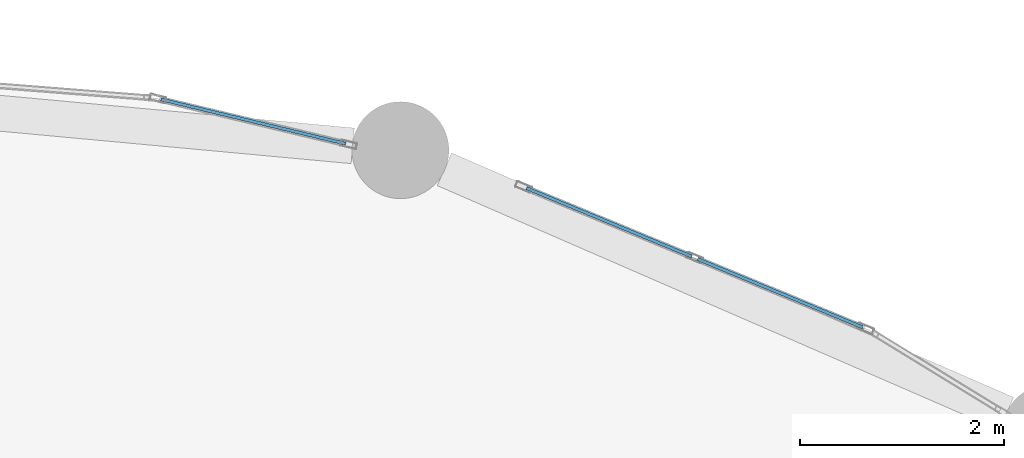
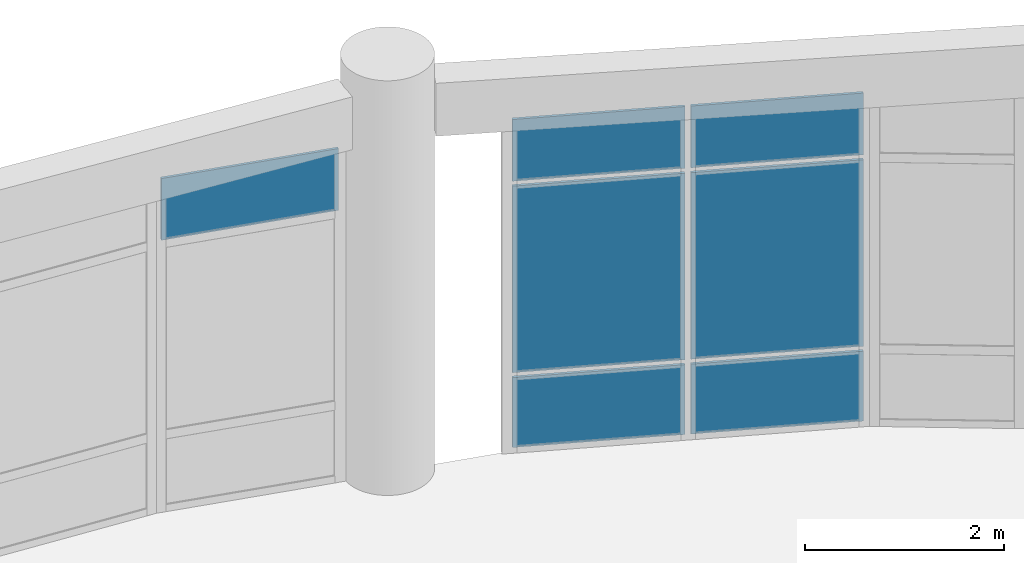
# One storey, part 98 of 120: 7 plates, 2 elements without a shape of their own.
"""IFC4 building model written with IfcOpenShell, lengths in metres."""

import ifcopenshell
import ifcopenshell.guid

model = None  # the IFC model being written
_history = None  # IfcOwnerHistory: only IFC2X3 demands one
_inside = {}  # id of a spatial element -> (the spatial element, [elements in it])
_under = {}  # id of a project, library or spatial element -> (it, [spatial elements below it])
_declared = {}  # id of a project -> (the project, [libraries it declares])
_typed = {}  # id of a type object -> (the type object, [elements of that type])
_made_of = {}  # id of a material, layer set ... -> (it, [elements and type objects made of it])


def new_model(schema):
    """Start an empty IFC model of exactly this schema.

    Asked for "IFC4X3", IfcOpenShell would pick the latest addendum, in which some entities
    have other attributes; the version numbers below select the first issue.
    IFC2X3 requires an IfcOwnerHistory on every rooted entity: one is made here for all.
    """
    global model, _history
    if schema == "IFC4X3":
        model = ifcopenshell.file(schema_version=(4, 3, 0, 0))
    else:
        model = ifcopenshell.file(schema=schema)
    _inside.clear()
    _under.clear()
    _declared.clear()
    _typed.clear()
    _made_of.clear()
    _history = None
    if model.schema == "IFC2X3":
        org = make("IfcOrganization", Name="unknown")
        user = make(
            "IfcPersonAndOrganization",
            ThePerson=make("IfcPerson", FamilyName="unknown"),
            TheOrganization=org,
        )
        app = make(
            "IfcApplication",
            ApplicationDeveloper=org,
            Version="unknown",
            ApplicationFullName="unknown",
            ApplicationIdentifier="unknown",
        )
        _history = make(
            "IfcOwnerHistory",
            OwningUser=user,
            OwningApplication=app,
            ChangeAction="ADDED",
            CreationDate=0,
        )
    return model


def make(cls, **values):
    """One entity of the class cls with the attributes given. An attribute that is None is left unset."""
    return model.create_entity(
        cls, **{name: value for name, value in values.items() if value is not None}
    )


def rooted(cls, **values):
    """An entity with a GlobalId (a new one), such as an element, a storey or a relation."""
    return make(cls, GlobalId=ifcopenshell.guid.new(), OwnerHistory=_history, **values)


def si_unit(unit_type, name, prefix=None):
    """IfcSIUnit, for example si_unit("LENGTHUNIT", "METRE", prefix="MILLI")."""
    return make("IfcSIUnit", UnitType=unit_type, Prefix=prefix, Name=name)


def derived_unit(unit_type, elements):
    """IfcDerivedUnit: a product of units, each with its exponent."""
    return make(
        "IfcDerivedUnit",
        Elements=[
            make("IfcDerivedUnitElement", Unit=unit, Exponent=power)
            for unit, power in elements
        ],
        UnitType=unit_type,
    )


def assignment(units):
    """IfcUnitAssignment: the units of a project."""
    return None if units is None else make("IfcUnitAssignment", Units=units)


def point(xyz):
    """IfcCartesianPoint."""
    return None if xyz is None else make("IfcCartesianPoint", Coordinates=xyz)


def direction(xyz):
    """IfcDirection."""
    return None if xyz is None else make("IfcDirection", DirectionRatios=xyz)


def frame(location, z_axis=None, x_axis=None):
    """IfcAxis2Placement3D, a coordinate frame: its origin and axes. An axis left out is left unset."""
    return make(
        "IfcAxis2Placement3D",
        Location=point(location),
        Axis=direction(z_axis),
        RefDirection=direction(x_axis),
    )


def frame_2d(location, x_axis=None):
    """IfcAxis2Placement2D, a coordinate frame in the plane: its origin and x axis."""
    return make(
        "IfcAxis2Placement2D", Location=point(location), RefDirection=direction(x_axis)
    )


def origin():
    """The frame at (0, 0, 0) with its axes left unset."""
    return frame((0.0, 0.0, 0.0))


def origin_2d():
    """The frame at (0, 0) in the plane with its x axis left unset."""
    return frame_2d((0.0, 0.0))


def place(relative_to, where):
    """IfcLocalPlacement: puts the frame where relative to a parent placement (None: the world)."""
    return make(
        "IfcLocalPlacement", PlacementRelTo=relative_to, RelativePlacement=where
    )


def context(
    kind, dimensions, precision=None, world=None, true_north=None, identifier=None
):
    """IfcGeometricRepresentationContext, for example the 3D "Model" context."""
    return make(
        "IfcGeometricRepresentationContext",
        ContextIdentifier=identifier,
        ContextType=kind,
        CoordinateSpaceDimension=dimensions,
        Precision=precision,
        WorldCoordinateSystem=world,
        TrueNorth=true_north,
    )


def subcontext(parent, identifier, kind, view, scale=None):
    """IfcGeometricRepresentationSubContext, for example "Body" below "Model"."""
    return make(
        "IfcGeometricRepresentationSubContext",
        ContextIdentifier=identifier,
        ContextType=kind,
        ParentContext=parent,
        TargetScale=scale,
        TargetView=view,
    )


def project(units=None, contexts=None):
    """IfcProject with its units and contexts."""
    return rooted(
        "IfcProject",
        Name="project",
        RepresentationContexts=contexts,
        UnitsInContext=assignment(units),
    )


def spatial(cls, under=None, at=None, **own):
    """A site, building, storey or space (cls), placed at a placement, below another one or the project."""
    s = rooted(cls, ObjectPlacement=at, **own)
    if under is not None:
        _under.setdefault(under.id(), (under, []))[1].append(s)
    return s


def profile(cls, at=None, kind="AREA", **sizes):
    """A parametric profile (cls). Its sizes go by their IFC names, for example OverallWidth=200.0."""
    return make(cls, ProfileType=kind, Position=at, **sizes)


def rectangle(**sizes):
    """IfcRectangleProfileDef."""
    return profile("IfcRectangleProfileDef", **sizes)


def extrude(swept, where, along, depth):
    """IfcExtrudedAreaSolid: the profile swept, set in the frame where, extruded along a direction by depth."""
    return make(
        "IfcExtrudedAreaSolid",
        SweptArea=swept,
        Position=where,
        ExtrudedDirection=direction(along),
        Depth=depth,
    )


def shape(context_of_items, identifier, shape_type, items):
    """IfcShapeRepresentation: the items that make up one representation, for example the "Body"."""
    return make(
        "IfcShapeRepresentation",
        ContextOfItems=context_of_items,
        RepresentationIdentifier=identifier,
        RepresentationType=shape_type,
        Items=items,
    )


def material(Name=None, Category=None):
    """IfcMaterial."""
    return make("IfcMaterial", Name=Name, Category=Category)


def layer(
    of_material, thickness, ventilated=None, Name=None, Category=None, Priority=None
):
    """IfcMaterialLayer: one layer of a wall or slab, of a material (None: an air gap)."""
    return make(
        "IfcMaterialLayer",
        Material=of_material,
        LayerThickness=thickness,
        IsVentilated=ventilated,
        Name=Name,
        Category=Category,
        Priority=Priority,
    )


def layer_set(layers, Name=None):
    """IfcMaterialLayerSet."""
    return make("IfcMaterialLayerSet", MaterialLayers=layers, LayerSetName=Name)


def made_of(thing, what):
    """Note that an element or type object is made of a material, layer set ...; save() writes the relation."""
    if what is not None:
        _made_of.setdefault(what.id(), (what, []))[1].append(thing)
    return thing


def type_object(cls, material=None, **own):
    """A type object (cls), such as IfcWallType, which elements share."""
    return made_of(rooted(cls, **own), material)


def element(
    cls,
    number,
    at=None,
    inside=None,
    cuts=None,
    type_object=None,
    material=None,
    context=None,
    identifier="Body",
    shape_type=None,
    held_by="IfcProductDefinitionShape",
    body=None,
    shapes=None,
    **own,
):
    """One element of the class cls, such as IfcWall. Its Tag is "e" and its number.

    at: its placement. inside: the storey or other place that contains it. cuts: it is an
    opening in that element (IfcRelVoidsElement). A single representation is given by context,
    identifier, shape_type and body (its items); several are given by shapes. held_by: the class
    of the entity that holds the representations. save() writes the other relations.
    """
    e = rooted(cls, Tag="e%d" % number, ObjectPlacement=at, **own)
    if body is not None:
        shapes = [shape(context, identifier, shape_type, body)]
    if shapes is not None:
        e.Representation = make(held_by, Representations=shapes)
    if inside is not None:
        _inside.setdefault(inside.id(), (inside, []))[1].append(e)
    if cuts is not None:
        rooted(
            "IfcRelVoidsElement", RelatingBuildingElement=cuts, RelatedOpeningElement=e
        )
    if type_object is not None:
        _typed.setdefault(type_object.id(), (type_object, []))[1].append(e)
    return made_of(e, material)


def aggregate(whole, parts):
    """IfcRelAggregates: a whole, such as a stair, and the parts it consists of."""
    return rooted("IfcRelAggregates", RelatingObject=whole, RelatedObjects=parts)


def save(model, path):
    """Write the relations noted so far, then the file.

    IfcRelAggregates (storeys below a building ...), IfcRelContainedInSpatialStructure (elements
    in a storey), IfcRelDefinesByType, IfcRelAssociatesMaterial and IfcRelDeclares: one each for
    every whole, place, type object, material and project.
    """
    for whole, parts in _under.values():
        aggregate(whole, parts)
    for where, things in _inside.values():
        rooted(
            "IfcRelContainedInSpatialStructure",
            RelatedElements=things,
            RelatingStructure=where,
        )
    for kind, things in _typed.values():
        rooted("IfcRelDefinesByType", RelatedObjects=things, RelatingType=kind)
    for what, things in _made_of.values():
        rooted("IfcRelAssociatesMaterial", RelatedObjects=things, RelatingMaterial=what)
    for by, libraries in _declared.values():
        rooted("IfcRelDeclares", RelatingContext=by, RelatedDefinitions=libraries)
    model.write(path)


model = new_model("IFC4")

# Units and contexts
model_context = context("Model", 3, precision=1e-05, world=origin(), true_north=direction((0.0, 1.0)))
body_context = subcontext(model_context, "Body", "Model", "MODEL_VIEW")
ifc_project = project(units=[si_unit("LENGTHUNIT", "METRE"), si_unit("AREAUNIT", "SQUARE_METRE"), si_unit("VOLUMEUNIT", "CUBIC_METRE"), si_unit("PLANEANGLEUNIT", "RADIAN"), si_unit("MASSUNIT", "GRAM", prefix="KILO"), derived_unit("THERMALTRANSMITTANCEUNIT", [(si_unit("MASSUNIT", "GRAM", prefix="KILO"), 1), (si_unit("TIMEUNIT", "SECOND"), -3), (si_unit("THERMODYNAMICTEMPERATUREUNIT", "KELVIN"), -1)])], contexts=[model_context])

# Site, building, storey
site_placement = place(None, origin())
site = spatial("IfcSite", under=ifc_project, at=site_placement, CompositionType="ELEMENT")
building_placement = place(site_placement, origin())
building = spatial("IfcBuilding", under=site, at=building_placement, Name="Qinzheling Arcade Emporium", CompositionType="ELEMENT")
storey_placement = place(building_placement, frame((0.0, 0.0, 11.39990234375)))
storey = spatial("IfcBuildingStorey", under=building, at=storey_placement, Name="L03", CompositionType="ELEMENT", Elevation=11.39990234375)

# Curtain wall, plate
ifc_material_1 = material(Name="Anodised aluminium and solar-control double glazing", Category="aluminium")
ifc_layer_1 = layer(ifc_material_1, 0.159912109375, Name="Anodised aluminium and solar-control double glazing", Category="aluminium")
ifc_layer_set_1 = layer_set([ifc_layer_1], Name="Anodised aluminium and solar-control double glazing")
curtain_wall_type = type_object("IfcCurtainWallType", Name="Curved Ribbon Sales Curtain Wall", PredefinedType="NOTDEFINED", material=ifc_layer_set_1)
curtain_wall_1_placement = place(storey_placement, origin())
curtain_wall_1 = element("IfcCurtainWall", 1, at=curtain_wall_1_placement, inside=storey, type_object=curtain_wall_type, Name="Curtain Wall CW-L03-183", PredefinedType="NOTDEFINED")
ifc_material_2 = material(Name="Laminated solar-control double glazing", Category="glass")
ifc_layer_2 = layer(ifc_material_2, 0.031005859375, Name="Laminated solar-control double glazing", Category="glass")
ifc_layer_set_2 = layer_set([ifc_layer_2], Name="Laminated solar-control double glazing")
plate_type_1 = type_object("IfcPlateType", Name="Low-E Double Glazed Curtain Panel 31mm", PredefinedType="CURTAIN_PANEL", material=ifc_layer_set_2)
plate_1_placement = place(storey_placement, frame((129.03955078125, 114.07958984375, 3.3349609375), z_axis=(0.0, 0.0, 1.0), x_axis=(0.972327728237, -0.233621036939, 0.0)))
plate_1 = element("IfcPlate", 2, at=plate_1_placement, type_object=plate_type_1, Name="CW02 panel 1.3", PredefinedType="CURTAIN_PANEL", context=body_context, shape_type="SweptSolid", body=[
    extrude(rectangle(XDim=1.86181640625, YDim=0.031005859375, at=origin_2d()), origin(), (0.0, 0.0, 1.0), 0.760009765625),
])
aggregate(curtain_wall_1, [plate_1])

# Curtain wall, plates
curtain_wall_2_placement = place(storey_placement, origin())
curtain_wall_2 = element("IfcCurtainWall", 3, at=curtain_wall_2_placement, inside=storey, type_object=curtain_wall_type, Name="Curtain Wall CW-L03-184", PredefinedType="NOTDEFINED")
ifc_layer_3 = layer(ifc_material_2, 0.031982421875, Name="Laminated solar-control double glazing", Category="glass")
ifc_layer_set_3 = layer_set([ifc_layer_3], Name="Laminated solar-control double glazing")
plate_type_2 = type_object("IfcPlateType", Name="Low-E Double Glazed Curtain Panel 32mm", PredefinedType="CURTAIN_PANEL", material=ifc_layer_set_3)
plate_2_placement = place(storey_placement, frame((132.527587890625, 113.091552734375, 0.06005859375), z_axis=(0.0, 0.0, 1.0), x_axis=(0.923901161255, -0.382631211784, 0.0)))
plate_2 = element("IfcPlate", 4, at=plate_2_placement, type_object=plate_type_2, Name="CW02 panel 1.1", PredefinedType="CURTAIN_PANEL", context=body_context, shape_type="SweptSolid", body=[
    extrude(rectangle(XDim=1.75390625, YDim=0.031982421875, at=origin_2d()), origin(), (0.0, 0.0, 1.0), 0.860107421875),
])
plate_3_placement = place(storey_placement, frame((132.527587890625, 113.091552734375, 0.980224609375), z_axis=(0.0, 0.0, 1.0), x_axis=(0.923901161255, -0.382631211784, 0.0)))
plate_3 = element("IfcPlate", 5, at=plate_3_placement, type_object=plate_type_2, Name="CW02 panel 1.2", PredefinedType="CURTAIN_PANEL", context=body_context, shape_type="SweptSolid", body=[
    extrude(rectangle(XDim=1.75390625, YDim=0.031982421875, at=origin_2d()), origin(), (0.0, 0.0, 1.0), 2.294921875),
])
plate_4_placement = place(storey_placement, frame((132.527587890625, 113.091552734375, 3.3349609375), z_axis=(0.0, 0.0, 1.0), x_axis=(0.923901161255, -0.382631211784, 0.0)))
plate_4 = element("IfcPlate", 6, at=plate_4_placement, type_object=plate_type_2, Name="CW02 panel 1.3", PredefinedType="CURTAIN_PANEL", context=body_context, shape_type="SweptSolid", body=[
    extrude(rectangle(XDim=1.75390625, YDim=0.031982421875, at=origin_2d()), origin(), (0.0, 0.0, 1.0), 0.760009765625),
])
plate_5_placement = place(storey_placement, frame((134.203369140625, 112.3974609375, 0.06005859375), z_axis=(0.0, 0.0, 1.0), x_axis=(0.923901161255, -0.382631211784, 0.0)))
plate_5 = element("IfcPlate", 7, at=plate_5_placement, type_object=plate_type_2, Name="CW02 panel 2.1", PredefinedType="CURTAIN_PANEL", context=body_context, shape_type="SweptSolid", body=[
    extrude(rectangle(XDim=1.75390625, YDim=0.031982421875, at=origin_2d()), origin(), (0.0, 0.0, 1.0), 0.860107421875),
])
plate_6_placement = place(storey_placement, frame((134.203369140625, 112.3974609375, 0.980224609375), z_axis=(0.0, 0.0, 1.0), x_axis=(0.923901161255, -0.382631211784, 0.0)))
plate_6 = element("IfcPlate", 8, at=plate_6_placement, type_object=plate_type_2, Name="CW02 panel 2.2", PredefinedType="CURTAIN_PANEL", context=body_context, shape_type="SweptSolid", body=[
    extrude(rectangle(XDim=1.75390625, YDim=0.031982421875, at=origin_2d()), origin(), (0.0, 0.0, 1.0), 2.294921875),
])
plate_7_placement = place(storey_placement, frame((134.203369140625, 112.3974609375, 3.3349609375), z_axis=(0.0, 0.0, 1.0), x_axis=(0.923901161255, -0.382631211784, 0.0)))
plate_7 = element("IfcPlate", 9, at=plate_7_placement, type_object=plate_type_2, Name="CW02 panel 2.3", PredefinedType="CURTAIN_PANEL", context=body_context, shape_type="SweptSolid", body=[
    extrude(rectangle(XDim=1.75390625, YDim=0.031982421875, at=origin_2d()), origin(), (0.0, 0.0, 1.0), 0.760009765625),
])
aggregate(curtain_wall_2, [plate_2, plate_3, plate_4, plate_5, plate_6, plate_7])

save(model, "model.ifc")
